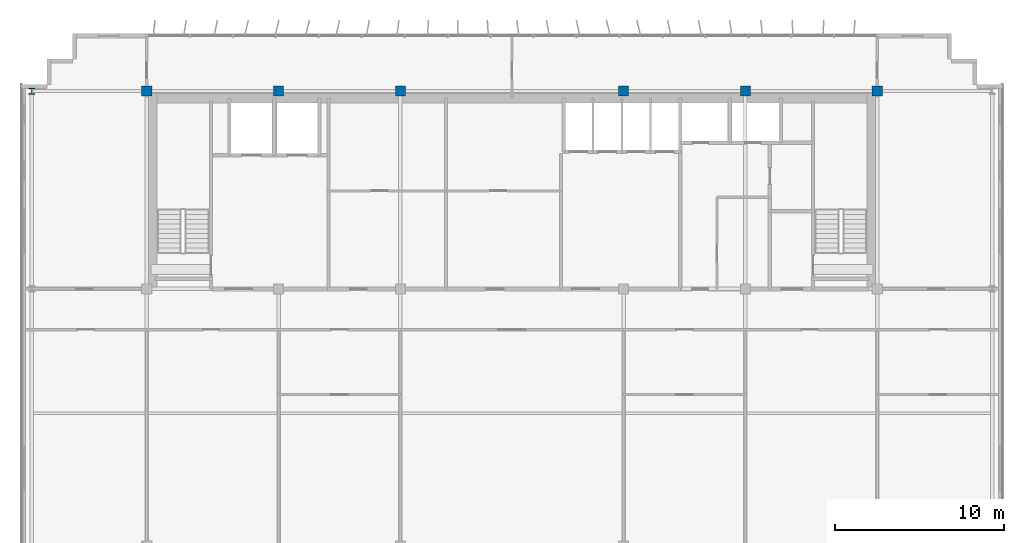
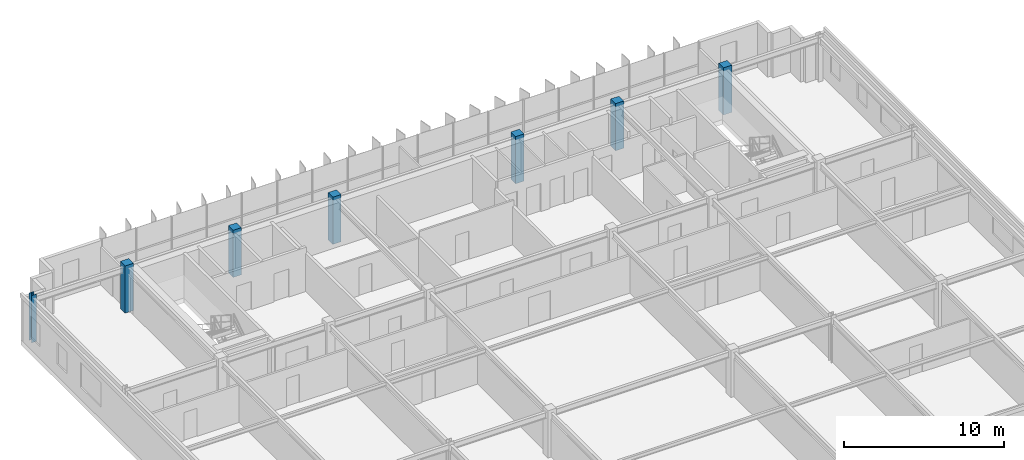
# One storey, part 3 of 21: 7 columns.
"""IFC4 building model written with IfcOpenShell, lengths in metres."""

from ifc_helpers import new_model, si_unit, direction, frame, origin, origin_2d, place, context, subcontext, project, spatial, rectangle, i_section, extrude, source, transform, mapped, material, material_profile, profile_set, type_object, element, save


model = new_model("IFC4")

# Units and contexts
model_context = context("Model", 3, precision=1e-05, world=origin(), true_north=direction((0.0, 1.0)))
body_context = subcontext(model_context, "Body", "Model", "MODEL_VIEW")
ifc_project = project(units=[si_unit("LENGTHUNIT", "METRE"), si_unit("AREAUNIT", "SQUARE_METRE"), si_unit("VOLUMEUNIT", "CUBIC_METRE"), si_unit("PLANEANGLEUNIT", "RADIAN"), si_unit("MASSUNIT", "GRAM", prefix="KILO")], contexts=[model_context])

# Site, building, storey
site_placement = place(None, origin())
site = spatial("IfcSite", under=ifc_project, at=site_placement, CompositionType="ELEMENT")
building_placement = place(site_placement, origin())
building = spatial("IfcBuilding", under=site, at=building_placement, Name="Trelvane Seafront Commons", CompositionType="ELEMENT")
storey_placement = place(building_placement, frame((0.0, 0.0, 248.699951171875)))
storey = spatial("IfcBuildingStorey", under=building, at=storey_placement, Name="L64", CompositionType="ELEMENT", Elevation=248.699951171875)

# Columns
ifc_material_1 = material(Name="Steel SM355 (S355)", Category="steel")
ifc_material_profile_1 = material_profile(ifc_material_1, i_section(OverallWidth=0.35009765625, OverallDepth=0.35009765625, WebThickness=0.01806640625, FlangeThickness=0.028076171875, at=origin_2d()), Name="HD-350x350x18x28")
ifc_profile_set_1 = profile_set([ifc_material_profile_1], Name="Steel SM355 (S355)")
column_type_1 = type_object("IfcColumnType", Name="STR-COL-HD350", PredefinedType="COLUMN", material=ifc_profile_set_1)
shared_shape_1 = source(origin(), body_context, "Body", "SweptSolid", [
    extrude(i_section(OverallWidth=0.35009765625, OverallDepth=0.35009765625, WebThickness=0.01806640625, FlangeThickness=0.028076171875, at=origin_2d()), origin(), (0.0, 0.0, 1.0), 3.60009765625),
])
column_placement = place(storey_placement, frame((8.800048828125, 45.10009765625, 0.0), z_axis=(0.0, 0.0, 1.0), x_axis=(1.0, 0.0, 0.0)))
element("IfcColumn", 1, at=column_placement, inside=storey, type_object=column_type_1, Name="L64 Column TC-CN8.8", PredefinedType="COLUMN", context=body_context, shape_type="MappedRepresentation", body=[
    mapped(shared_shape_1, transform((0.0, 0.0, 0.0), x_axis=(1.0, 0.0, 0.0), y_axis=(0.0, 1.0, 0.0), z_axis=(0.0, 0.0, 1.0), scale=1.0)),
])
ifc_material_2 = material(Name="Concrete C50/60", Category="concrete")
ifc_material_profile_2 = material_profile(ifc_material_2, rectangle(XDim=0.60009765625, YDim=0.60009765625, at=origin_2d()), Name="RC-600x600")
ifc_profile_set_2 = profile_set([ifc_material_profile_2], Name="Concrete C50/60")
column_type_2 = type_object("IfcColumnType", Name="STR-COL-RC600", PredefinedType="COLUMN", material=ifc_profile_set_2)
shared_shape_2 = source(origin(), body_context, "Body", "SweptSolid", [
    extrude(rectangle(XDim=0.60009765625, YDim=0.60009765625, at=origin_2d()), origin(), (0.0, 0.0, 1.0), 3.60009765625),
])
for number, where, z_axis, x_axis, name in (
    (2, (15.60009765625, 45.10009765625, 0.0), (0.0, 0.0, 1.0), (1.0, 0.0, 0.0), "L64 Column TC-CN15.6"),
    (3, (23.39990234375, 45.10009765625, 0.0), (0.0, 0.0, 1.0), (1.0, 0.0, 0.0), "L64 Column TC-CN23.4"),
    (4, (30.60009765625, 45.10009765625, 0.0), (0.0, 0.0, 1.0), (1.0, 0.0, 0.0), "L64 Column TC-CN30.6"),
    (5, (43.800048828125, 45.10009765625, 0.0), (0.0, 0.0, 1.0), (1.0, 0.0, 0.0), "L64 Column TC-CN43.8"),
    (6, (51.0, 45.10009765625, 0.0), (0.0, 0.0, 1.0), (1.0, 0.0, 0.0), "L64 Column TC-CN51.0"),
    (7, (58.800048828125, 45.10009765625, 0.0), (0.0, 0.0, 1.0), (1.0, 0.0, 0.0), "L64 Column TC-CN58.8"),
):
    element("IfcColumn", number, at=place(storey_placement, frame(where, z_axis=z_axis, x_axis=x_axis)), inside=storey, type_object=column_type_2, Name=name, PredefinedType="COLUMN", context=body_context, shape_type="MappedRepresentation", body=[
        mapped(shared_shape_2, transform((0.0, 0.0, 0.0), x_axis=(1.0, 0.0, 0.0), y_axis=(0.0, 1.0, 0.0), z_axis=(0.0, 0.0, 1.0), scale=1.0)),
    ])

save(model, "model.ifc")
